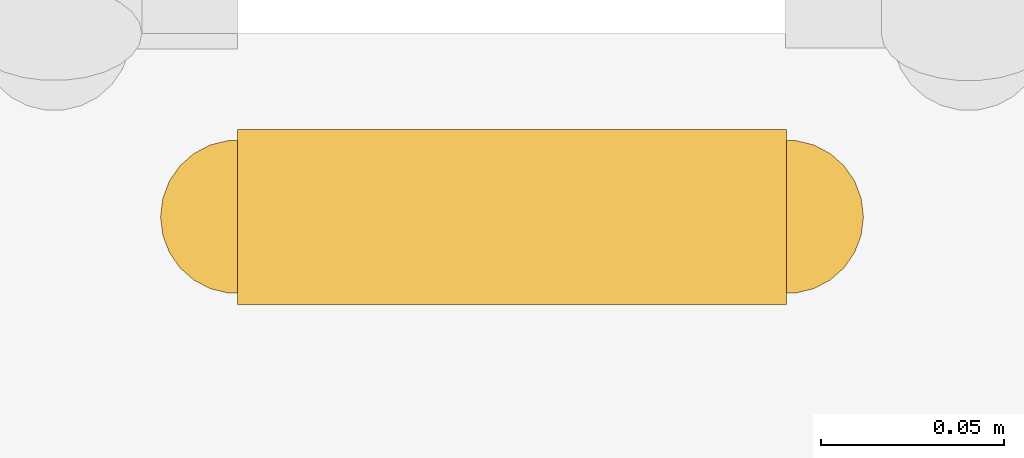
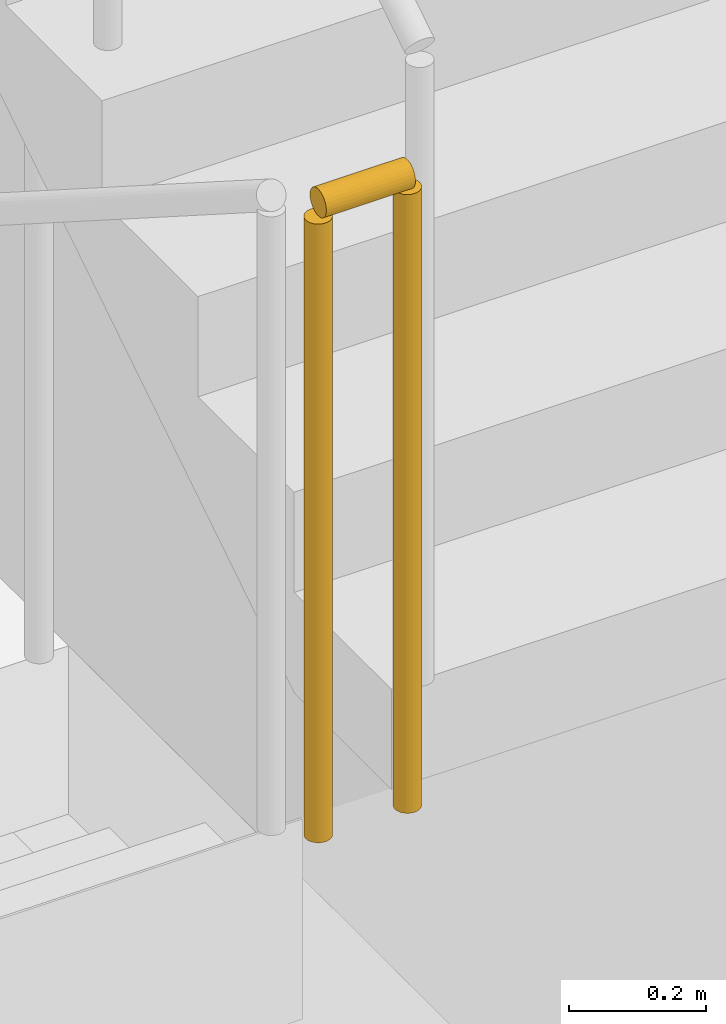
# One storey, part 25 of 31: 1 railing.
"""IFC4 building model written with IfcOpenShell, lengths in metres."""

from ifc_helpers import new_model, si_unit, direction, frame, origin, origin_2d, place, context, subcontext, project, spatial, circle, extrude, material, type_object, element, save


model = new_model("IFC4")

# Units and contexts
model_context = context("Model", 3, precision=1e-05, world=origin(), true_north=direction((0.0, 1.0)))
body_context = subcontext(model_context, "Body", "Model", "MODEL_VIEW")
ifc_project = project(units=[si_unit("LENGTHUNIT", "METRE"), si_unit("AREAUNIT", "SQUARE_METRE"), si_unit("VOLUMEUNIT", "CUBIC_METRE"), si_unit("PLANEANGLEUNIT", "RADIAN"), si_unit("MASSUNIT", "GRAM", prefix="KILO")], contexts=[model_context])

# Site, building, storey
site_placement = place(None, origin())
site = spatial("IfcSite", under=ifc_project, at=site_placement, CompositionType="ELEMENT")
building_placement = place(site_placement, origin())
building = spatial("IfcBuilding", under=site, at=building_placement, Name="Khairoan Windgate Tower", CompositionType="ELEMENT")
storey_placement = place(building_placement, frame((0.0, 0.0, 6.0)))
storey = spatial("IfcBuildingStorey", under=building, at=storey_placement, Name="L02", CompositionType="ELEMENT", Elevation=6.0)

# Railing
ifc_material = material(Name="Steel S355", Category="steel")
railing_type = type_object("IfcRailingType", Name="Stairwell Safety Guardrail SGR-1150", PredefinedType="GUARDRAIL", material=ifc_material)
railing_placement = place(storey_placement, frame((17.7099609375, -12.949951171875, 2.5)))
element("IfcRailing", 1, at=railing_placement, inside=storey, type_object=railing_type, Name="L02 ST1 stair guard 2", PredefinedType="GUARDRAIL", context=body_context, shape_type="SweptSolid", body=[
    extrude(circle(Radius=0.02392578125, at=origin_2d()), frame((0.0, 0.0, 1.1259765625), z_axis=(1.0, 0.0, 0.0), x_axis=(0.0, 1.0, 0.0)), (0.0, 0.0, 1.0), 0.150146484375),
    extrude(circle(Radius=0.02099609375, at=origin_2d()), origin(), (0.0, 0.0, 1.0), 1.101806640625),
    extrude(circle(Radius=0.02099609375, at=origin_2d()), frame((0.150146484375, 0.0, 0.0)), (0.0, 0.0, 1.0), 1.101806640625),
])

save(model, "model.ifc")
